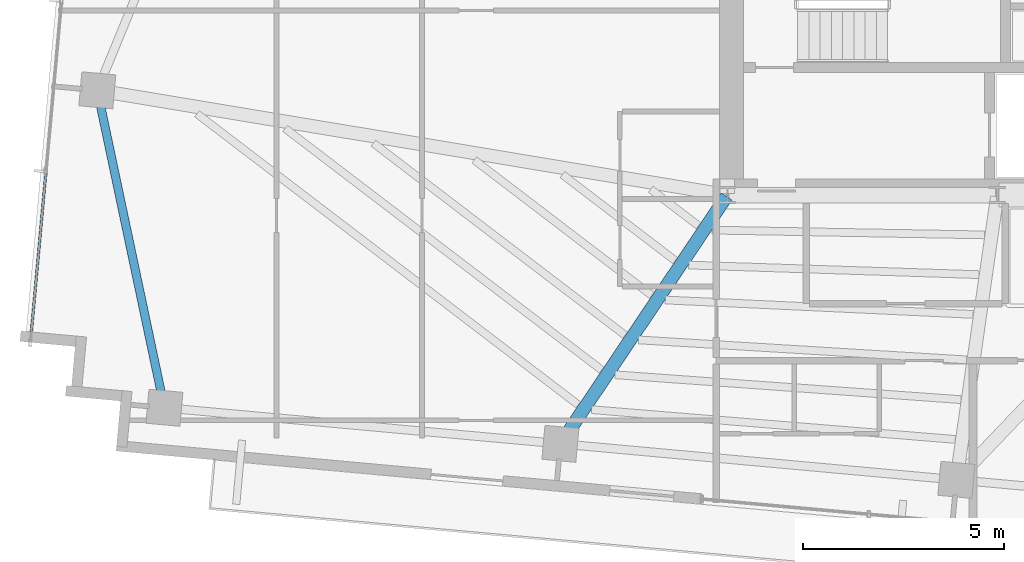
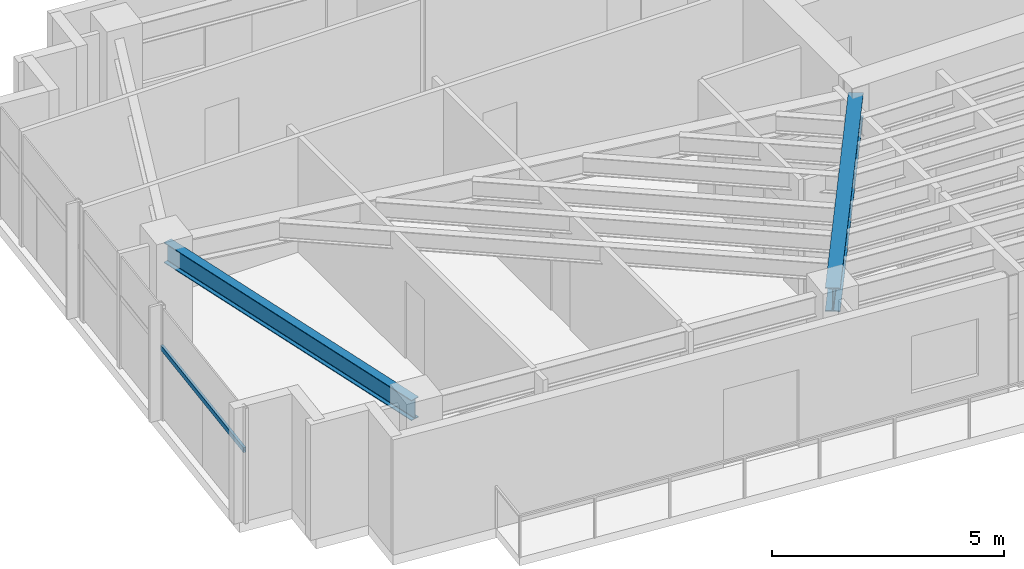
# One storey, part 3 of 22: 2 beams, 1 member, 1 element without a shape of its own.
"""IFC4 building model written with IfcOpenShell, lengths in metres."""

from ifc_helpers import new_model, si_unit, direction, frame, origin, origin_2d, place, context, subcontext, project, spatial, hollow_rectangle, i_section, extrude, source, transform, mapped, material, material_profile, profile_set, type_object, type_shapes, element, aggregate, save


model = new_model("IFC4")

# Units and contexts
model_context = context("Model", 3, precision=1e-05, world=origin(), true_north=direction((0.0, 1.0)))
body_context = subcontext(model_context, "Body", "Model", "MODEL_VIEW")
ifc_project = project(units=[si_unit("LENGTHUNIT", "METRE"), si_unit("AREAUNIT", "SQUARE_METRE"), si_unit("VOLUMEUNIT", "CUBIC_METRE"), si_unit("PLANEANGLEUNIT", "RADIAN"), si_unit("MASSUNIT", "GRAM", prefix="KILO")], contexts=[model_context])

# Site, building, storey
site_placement = place(None, origin())
site = spatial("IfcSite", under=ifc_project, at=site_placement, CompositionType="ELEMENT")
building_placement = place(site_placement, origin())
building = spatial("IfcBuilding", under=site, at=building_placement, Name="Astriad Promenade Condominiums", CompositionType="ELEMENT")
storey_placement = place(building_placement, frame((0.0, 0.0, 233.10009765625)))
storey = spatial("IfcBuildingStorey", under=building, at=storey_placement, Name="L67", CompositionType="ELEMENT", Elevation=233.10009765625)

# Beams
ifc_material_1 = material(Name="Steel ASTM A992 Grade 50", Category="steel")
ifc_material_profile_1 = material_profile(ifc_material_1, i_section(OverallWidth=0.210693359375, OverallDepth=0.53955078125, WebThickness=0.01171875, FlangeThickness=0.018798828125, FilletRadius=0.0166015625, at=origin_2d()), Name="W21X73")
ifc_profile_set_1 = profile_set([ifc_material_profile_1], Name="Steel ASTM A992 Grade 50")
beam_type_1 = type_object("IfcBeamType", Name="STEEL SPANDREL BEAM W21X73", PredefinedType="SPANDREL", material=ifc_profile_set_1)
shared_shape_1 = source(origin(), body_context, "Body", "SweptSolid", [
    extrude(i_section(OverallWidth=0.210693359375, OverallDepth=0.53955078125, WebThickness=0.01171875, FlangeThickness=0.018798828125, FilletRadius=0.0166015625, at=origin_2d()), origin(), (0.0, 0.0, 1.0), 7.99853515625),
])
type_shapes(beam_type_1, [shared_shape_1])
beam_1_placement = place(storey_placement, frame((10.719482421875, 19.97119140625, 2.77001953125), z_axis=(0.206793407277, -0.978384631271, 0.0), x_axis=(0.978384631271, 0.206793407277, 0.0)))
element("IfcBeam", 1, at=beam_1_placement, inside=storey, type_object=beam_type_1, Name="Perimeter Spandrel Beam SP-W1-L67", PredefinedType="SPANDREL", context=body_context, shape_type="MappedRepresentation", body=[
    mapped(shared_shape_1, transform((0.0, 0.0, 0.0), scale=1.0)),
])
ifc_material_profile_2 = material_profile(ifc_material_1, i_section(OverallWidth=0.326416015625, OverallDepth=0.621826171875, WebThickness=0.015380859375, FlangeThickness=0.0244140625, FilletRadius=0.017822265625, at=origin_2d()), Name="W24X131")
ifc_profile_set_2 = profile_set([ifc_material_profile_2], Name="Steel ASTM A992 Grade 50")
beam_type_2 = type_object("IfcBeamType", Name="STEEL FLOOR GIRDER W24X131", PredefinedType="BEAM", material=ifc_profile_set_2)
shared_shape_2 = source(origin(), body_context, "Body", "SweptSolid", [
    extrude(i_section(OverallWidth=0.326416015625, OverallDepth=0.621826171875, WebThickness=0.015380859375, FlangeThickness=0.0244140625, FilletRadius=0.017822265625, at=origin_2d()), origin(), (0.0, 0.0, 1.0), 7.378173828125),
])
type_shapes(beam_type_2, [shared_shape_2])
beam_2_placement = place(storey_placement, frame((22.263427734375, 11.2421875, 2.72900390625), z_axis=(0.55762901545, 0.830090284926, 0.0), x_axis=(-0.830090284926, 0.55762901545, 0.0)))
element("IfcBeam", 2, at=beam_2_placement, inside=storey, type_object=beam_type_2, Name="Primary Floor Girder PG-W2-L67", PredefinedType="BEAM", context=body_context, shape_type="MappedRepresentation", body=[
    mapped(shared_shape_2, transform((0.0, 0.0, 0.0), scale=1.0)),
])

# Curtain wall, member
ifc_material_2 = material(Name="Anodised aluminium Black Dark Glass Unitised", Category="aluminium")
curtain_wall_type = type_object("IfcCurtainWallType", Name="CW-B5-DARK", PredefinedType="USERDEFINED", material=ifc_material_2)
curtain_wall_placement = place(storey_placement, origin())
curtain_wall = element("IfcCurtainWall", 3, at=curtain_wall_placement, inside=storey, type_object=curtain_wall_type, Name="CW-L67-W", ObjectType="UNITISED_CURTAIN_WALL", PredefinedType="USERDEFINED")
ifc_material_3 = material(Name="Anodised aluminium 6063-T6 Black", Category="aluminium")
ifc_material_profile_3 = material_profile(ifc_material_3, hollow_rectangle(XDim=0.06494140625, YDim=0.1298828125, WallThickness=0.00390625, at=origin_2d()), Name="ALU-TRN-65X130")
ifc_profile_set_3 = profile_set([ifc_material_profile_3], Name="Anodised aluminium 6063-T6 Black")
member_type = type_object("IfcMemberType", Name="TRN-ALU-TRN-65X130", PredefinedType="USERDEFINED", material=ifc_profile_set_3)
shared_shape_3 = source(origin(), body_context, "Body", "SweptSolid", [
    extrude(hollow_rectangle(XDim=0.06494140625, YDim=0.1298828125, WallThickness=0.00390625, at=origin_2d()), origin(), (0.0, 0.0, 1.0), 4.2666015625),
])
type_shapes(member_type, [shared_shape_3])
member_placement = place(storey_placement, frame((9.0458984375, 13.7353515625, 1.884765625), z_axis=(0.090638931954, 0.99588382054, 0.0), x_axis=(-0.99588382054, 0.090638931954, 0.0)))
member = element("IfcMember", 4, at=member_placement, type_object=member_type, Name="CW-L67-W-TRN-00-0", ObjectType="TRANSOM", PredefinedType="USERDEFINED", context=body_context, shape_type="MappedRepresentation", body=[
    mapped(shared_shape_3, transform((0.0, 0.0, 0.0), scale=1.0)),
])
aggregate(curtain_wall, [member])

save(model, "model.ifc")
